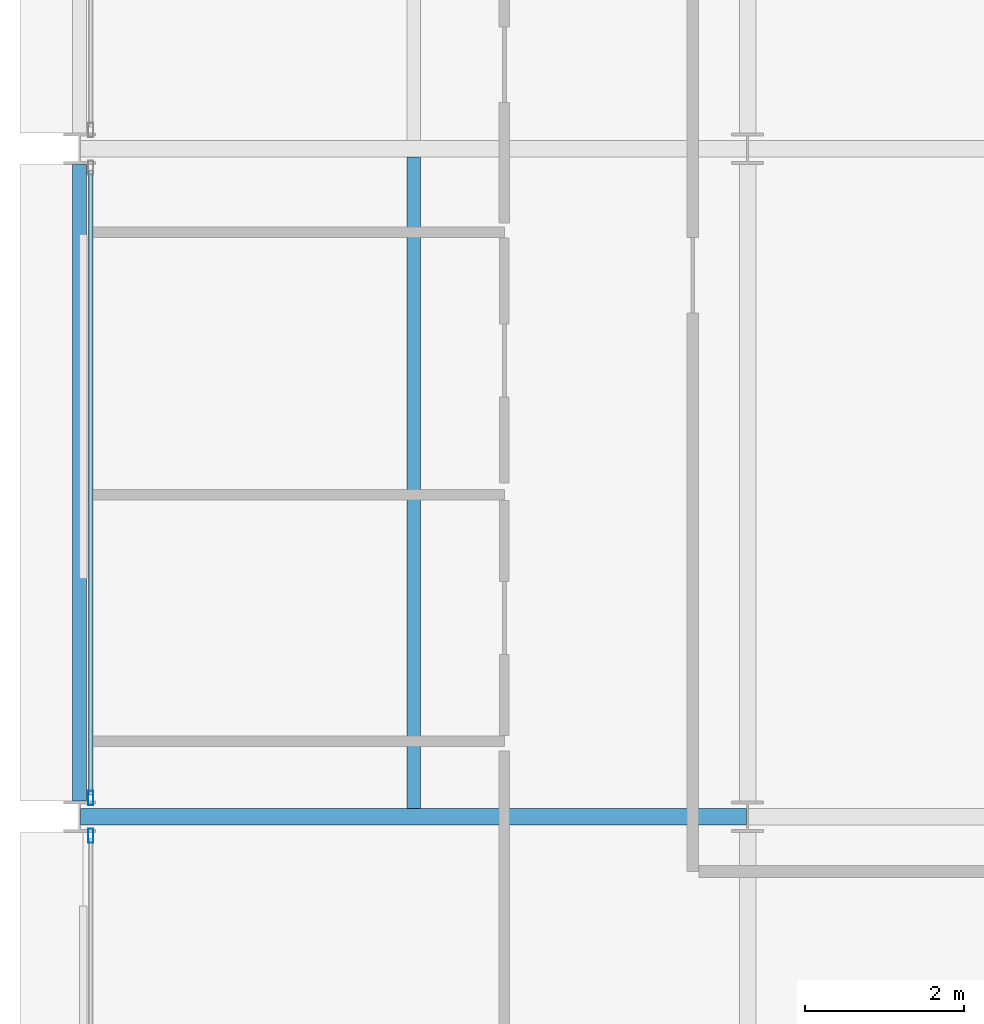
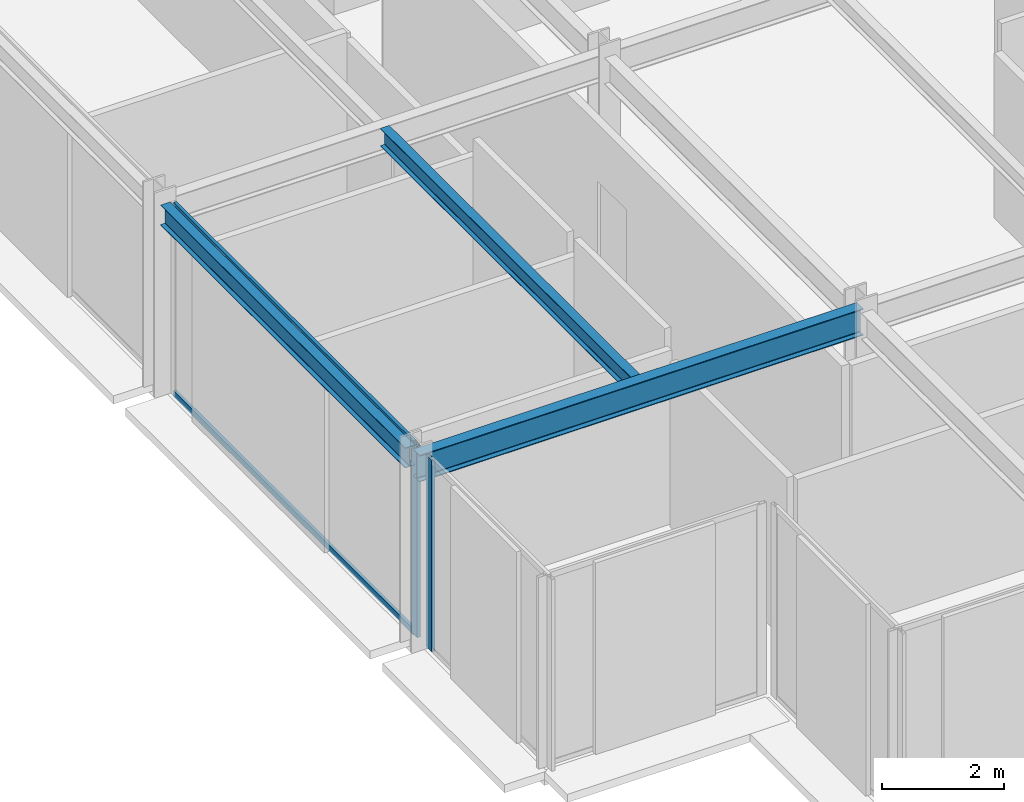
# One storey, part 4 of 30: 4 members, 3 beams, 2 elements without a shape of their own.
"""IFC4 building model written with IfcOpenShell, lengths in metres."""

from ifc_helpers import new_model, si_unit, direction, frame, origin, origin_2d, place, context, subcontext, project, spatial, hollow_rectangle, i_section, extrude, material, layer, layer_set, material_profile, profile_set, type_object, element, aggregate, save


model = new_model("IFC4")

# Units and contexts
model_context = context("Model", 3, precision=1e-05, world=origin(), true_north=direction((0.0, 1.0)))
body_context = subcontext(model_context, "Body", "Model", "MODEL_VIEW")
ifc_project = project(units=[si_unit("LENGTHUNIT", "METRE"), si_unit("AREAUNIT", "SQUARE_METRE"), si_unit("VOLUMEUNIT", "CUBIC_METRE"), si_unit("PLANEANGLEUNIT", "RADIAN"), si_unit("MASSUNIT", "GRAM", prefix="KILO")], contexts=[model_context])

# Site, building, storey
site_placement = place(None, origin())
site = spatial("IfcSite", under=ifc_project, at=site_placement, CompositionType="ELEMENT")
building_placement = place(site_placement, origin())
building = spatial("IfcBuilding", under=site, at=building_placement, Name="Nerrivon Quay Data Exchange", CompositionType="ELEMENT")
storey_placement = place(building_placement, frame((0.0, 0.0, 141.800048828125)))
storey = spatial("IfcBuildingStorey", under=building, at=storey_placement, Name="L33", CompositionType="ELEMENT", Elevation=141.800048828125)

# Beams
ifc_material_1 = material(Name="Steel Grade 350", Category="steel")
ifc_material_profile_1 = material_profile(ifc_material_1, i_section(OverallWidth=0.208984375, OverallDepth=0.532958984375, WebThickness=0.01025390625, FlangeThickness=0.015625, FilletRadius=0.013916015625, at=origin_2d()), Name="530UB92.4")
ifc_profile_set_1 = profile_set([ifc_material_profile_1], Name="Steel Grade 350")
beam_type_1 = type_object("IfcBeamType", Name="BM-G3-530UB92", PredefinedType="BEAM", material=ifc_profile_set_1)
beam_1_placement = place(storey_placement, frame((0.012451171875, 8.39990234375, 3.558349609375), z_axis=(1.0, 0.0, 0.0), x_axis=(0.0, 1.0, 0.0)))
element("IfcBeam", 1, at=beam_1_placement, inside=storey, type_object=beam_type_1, Name="L33 EW Girder Y=8.4 (0.0..8.4)", PredefinedType="BEAM", context=body_context, shape_type="SweptSolid", body=[
    extrude(i_section(OverallWidth=0.208984375, OverallDepth=0.532958984375, WebThickness=0.01025390625, FlangeThickness=0.015625, FilletRadius=0.013916015625, at=origin_2d()), origin(), (0.0, 0.0, 1.0), 8.375),
])
ifc_material_profile_2 = material_profile(ifc_material_1, i_section(OverallWidth=0.1708984375, OverallDepth=0.35595703125, WebThickness=0.00732421875, FlangeThickness=0.011474609375, FilletRadius=0.011474609375, at=origin_2d()), Name="360UB50.7")
ifc_profile_set_2 = profile_set([ifc_material_profile_2], Name="Steel Grade 350")
beam_type_2 = type_object("IfcBeamType", Name="BM-J4-360UB51", PredefinedType="JOIST", material=ifc_profile_set_2)
beam_2_placement = place(storey_placement, frame((4.199951171875, 8.50439453125, 3.64697265625), z_axis=(0.0, 1.0, 0.0), x_axis=(-1.0, 0.0, 0.0)))
element("IfcBeam", 2, at=beam_2_placement, inside=storey, type_object=beam_type_2, Name="L33 Secondary Joist X=4.2 (8.4..16.8)", PredefinedType="JOIST", context=body_context, shape_type="SweptSolid", body=[
    extrude(i_section(OverallWidth=0.1708984375, OverallDepth=0.35595703125, WebThickness=0.00732421875, FlangeThickness=0.011474609375, FilletRadius=0.011474609375, at=origin_2d()), origin(), (0.0, 0.0, 1.0), 8.191162109375),
])
ifc_material_profile_3 = material_profile(ifc_material_1, i_section(OverallWidth=0.177978515625, OverallDepth=0.403076171875, WebThickness=0.007568359375, FlangeThickness=0.010986328125, FilletRadius=0.011474609375, at=origin_2d()), Name="410UB53.7")
ifc_profile_set_3 = profile_set([ifc_material_profile_3], Name="Steel Grade 350")
beam_type_3 = type_object("IfcBeamType", Name="BM-SP2-410UB54", PredefinedType="SPANDREL", material=ifc_profile_set_3)
beam_3_placement = place(storey_placement, frame((0.0, 8.60009765625, 3.62353515625), z_axis=(0.0, 1.0, 0.0), x_axis=(-1.0, 0.0, 0.0)))
element("IfcBeam", 3, at=beam_3_placement, inside=storey, type_object=beam_type_3, Name="L33 NS Girder X=0.0 (8.4..16.8)", PredefinedType="SPANDREL", context=body_context, shape_type="SweptSolid", body=[
    extrude(i_section(OverallWidth=0.177978515625, OverallDepth=0.403076171875, WebThickness=0.007568359375, FlangeThickness=0.010986328125, FilletRadius=0.011474609375, at=origin_2d()), origin(), (0.0, 0.0, 1.0), 8.0),
])

# Curtain wall, member
ifc_material_2 = material(Name="Anodised aluminium 6063-T6", Category="aluminium")
ifc_layer = layer(ifc_material_2, 0.2099609375)
ifc_layer_set = layer_set([ifc_layer], Name="Anodised aluminium 6063-T6")
curtain_wall_type = type_object("IfcCurtainWallType", Name="CW-SYS-02", PredefinedType="NOTDEFINED", material=ifc_layer_set)
curtain_wall_1_placement = place(storey_placement, origin())
curtain_wall_1 = element("IfcCurtainWall", 4, at=curtain_wall_1_placement, inside=storey, type_object=curtain_wall_type, Name="L33 Unitised Curtain Wall 11", PredefinedType="NOTDEFINED")
ifc_material_profile_4 = material_profile(ifc_material_2, hollow_rectangle(XDim=0.06494140625, YDim=0.179931640625, WallThickness=0.00341796875, at=origin_2d()), Name="ALU-MULL-180x65")
ifc_profile_set_4 = profile_set([ifc_material_profile_4], Name="Anodised aluminium 6063-T6")
member_type_1 = type_object("IfcMemberType", Name="CWM-180x65", PredefinedType="MULLION", material=ifc_profile_set_4)
member_1_placement = place(storey_placement, frame((0.139892578125, 8.16259765625, 0.0), z_axis=(0.0, 0.0, 1.0), x_axis=(-1.0, 0.0, 0.0)))
member_1 = element("IfcMember", 5, at=member_1_placement, type_object=member_type_1, Name="CW02 mullion 2", PredefinedType="MULLION", context=body_context, shape_type="SweptSolid", body=[
    extrude(hollow_rectangle(XDim=0.06494140625, YDim=0.179931640625, WallThickness=0.00341796875, at=origin_2d()), origin(), (0.0, 0.0, 1.0), 3.824951171875),
])
aggregate(curtain_wall_1, [member_1])

# Curtain wall, members
curtain_wall_2_placement = place(storey_placement, origin())
curtain_wall_2 = element("IfcCurtainWall", 6, at=curtain_wall_2_placement, inside=storey, type_object=curtain_wall_type, Name="L33 Unitised Curtain Wall 12", PredefinedType="NOTDEFINED")
member_2_placement = place(storey_placement, frame((0.139892578125, 8.637451171875, 0.0), z_axis=(0.0, 0.0, 1.0), x_axis=(-1.0, 0.0, 0.0)))
member_2 = element("IfcMember", 7, at=member_2_placement, type_object=member_type_1, Name="CW02 mullion 1", PredefinedType="MULLION", context=body_context, shape_type="SweptSolid", body=[
    extrude(hollow_rectangle(XDim=0.06494140625, YDim=0.179931640625, WallThickness=0.00341796875, at=origin_2d()), origin(), (0.0, 0.0, 1.0), 3.824951171875),
])
ifc_material_profile_5 = material_profile(ifc_material_2, hollow_rectangle(XDim=0.06005859375, YDim=0.1201171875, WallThickness=0.003173828125, at=origin_2d()), Name="ALU-TRAN-120x60")
ifc_profile_set_5 = profile_set([ifc_material_profile_5], Name="Anodised aluminium 6063-T6")
member_type_2 = type_object("IfcMemberType", Name="CWT-120x60", PredefinedType="USERDEFINED", material=ifc_profile_set_5)
member_3_placement = place(storey_placement, frame((0.139892578125, 8.675048828125, 0.032470703125), z_axis=(0.0, 1.0, 0.0), x_axis=(-1.0, 0.0, 0.0)))
member_3 = element("IfcMember", 8, at=member_3_placement, type_object=member_type_2, Name="CW02 transom 1.1", ObjectType="TRANSOM", PredefinedType="USERDEFINED", context=body_context, shape_type="SweptSolid", body=[
    extrude(hollow_rectangle(XDim=0.06005859375, YDim=0.1201171875, WallThickness=0.003173828125, at=origin_2d()), origin(), (0.0, 0.0, 1.0), 7.849853515625),
])
member_4_placement = place(storey_placement, frame((0.139892578125, 8.675048828125, 3.79248046875), z_axis=(0.0, 1.0, 0.0), x_axis=(-1.0, 0.0, 0.0)))
member_4 = element("IfcMember", 9, at=member_4_placement, type_object=member_type_2, Name="CW02 transom 1.2", ObjectType="TRANSOM", PredefinedType="USERDEFINED", context=body_context, shape_type="SweptSolid", body=[
    extrude(hollow_rectangle(XDim=0.06005859375, YDim=0.1201171875, WallThickness=0.003173828125, at=origin_2d()), origin(), (0.0, 0.0, 1.0), 7.849853515625),
])
aggregate(curtain_wall_2, [member_2, member_3, member_4])

save(model, "model.ifc")
